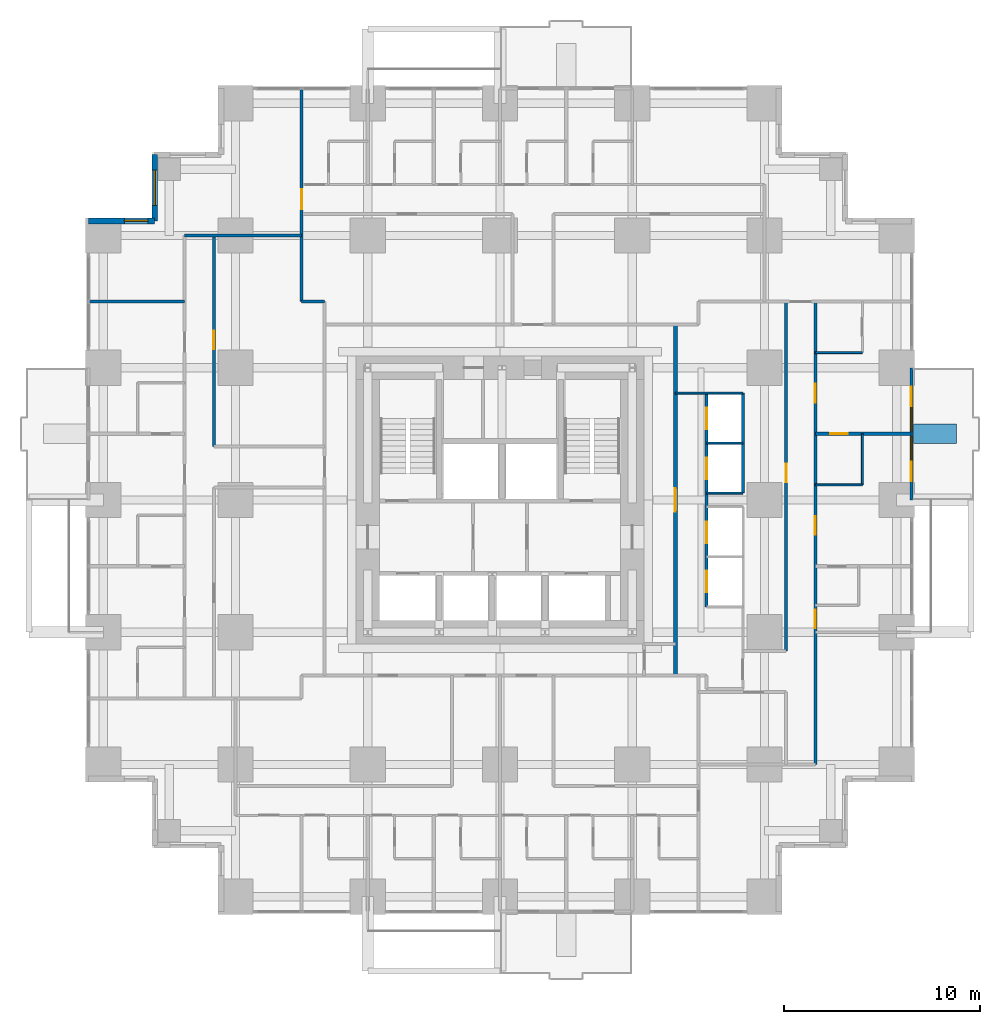
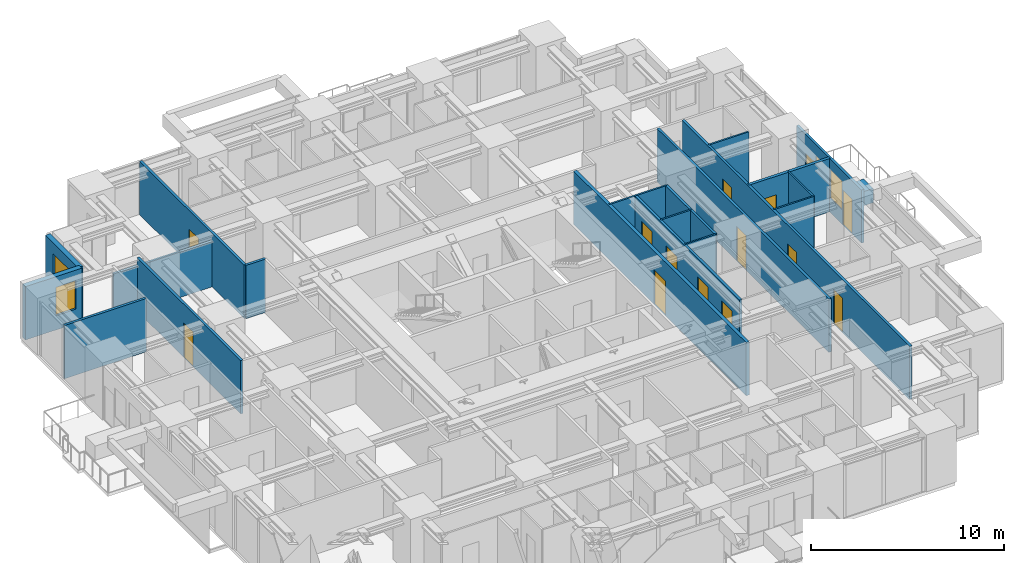
# One storey, part 11 of 14: 21 walls, 14 doors, 4 windows, 18 openings.
"""IFC4 building model written with IfcOpenShell, lengths in metres."""

from ifc_helpers import new_model, si_unit, direction, frame, frame_2d, origin, place, context, subcontext, project, spatial, rectangle, extrude, material, layer, layer_set, type_object, element, fill, save


model = new_model("IFC4")

# Units and contexts
model_context = context("Model", 3, precision=1e-05, world=origin(), true_north=direction((0.0, 1.0)))
body_context = subcontext(model_context, "Body", "Model", "MODEL_VIEW")
ifc_project = project(units=[si_unit("LENGTHUNIT", "METRE"), si_unit("AREAUNIT", "SQUARE_METRE"), si_unit("VOLUMEUNIT", "CUBIC_METRE"), si_unit("PLANEANGLEUNIT", "RADIAN"), si_unit("MASSUNIT", "GRAM", prefix="KILO")], contexts=[model_context])

# Site, building, storey
site_placement = place(None, origin())
site = spatial("IfcSite", under=ifc_project, at=site_placement, CompositionType="ELEMENT")
building_placement = place(site_placement, origin())
building = spatial("IfcBuilding", under=site, at=building_placement, Name="Nyansa Garden Tower", CompositionType="ELEMENT")
storey_placement = place(building_placement, frame((0.0, 0.0, 64.800048828125)))
storey = spatial("IfcBuildingStorey", under=building, at=storey_placement, Name="L17", CompositionType="ELEMENT", Elevation=64.800048828125)

# Wall, opening, door
ifc_material_1 = material(Name="Dense blockwork, plastered both sides, 55 dB", Category="masonry")
ifc_layer_1 = layer(ifc_material_1, 0.175048828125)
ifc_layer_set_1 = layer_set([ifc_layer_1], Name="Acoustic party wall PW175")
wall_type_1 = type_object("IfcWallType", Name="Acoustic party wall PW175", PredefinedType="PARTITIONING", material=ifc_layer_set_1)
wall_1_placement = place(storey_placement, frame((36.35009765625, 23.625, 0.0), z_axis=(0.0, 0.0, 1.0), x_axis=(1.0, 0.0, 0.0)))
wall_1 = element("IfcWall", 1, at=wall_1_placement, inside=storey, type_object=wall_type_1, Name="Party wall", PredefinedType="PARTITIONING", context=body_context, shape_type="SweptSolid", body=[
    extrude(rectangle(XDim=4.8837890625, YDim=0.175048828125, at=frame_2d((2.44189453125, 0.0))), origin(), (0.0, 0.0, 1.0), 3.375),
])
opening_1_placement = place(wall_1_placement, frame((0.75, 0.0, 0.0)))
opening_1 = element("IfcOpeningElement", 2, at=opening_1_placement, cuts=wall_1, Name="Opening D02", PredefinedType="OPENING", context=body_context, shape_type="SweptSolid", body=[
    extrude(rectangle(XDim=0.89990234375, YDim=2.199951171875, at=frame_2d((0.449951171875, 1.10009765625))), frame((0.0, 0.097412109375, 0.0), z_axis=(0.0, -1.0, 0.0), x_axis=(1.0, 0.0, 0.0)), (0.0, 0.0, 1.0), 0.195068359375),
])
ifc_material_2 = material(Name="Timber flush door", Category="wood")
door_type_1 = type_object("IfcDoorType", Name="En-suite door D02 900x2200", OperationType="SINGLE_SWING_RIGHT", PredefinedType="DOOR", material=ifc_material_2)
door_1_placement = place(opening_1_placement, origin())
door_1 = element("IfcDoor", 3, at=door_1_placement, inside=storey, type_object=door_type_1, Name="Door L17-038", OperationType="SINGLE_SWING_RIGHT", OverallHeight=2.199951171875, OverallWidth=0.89990234375, PredefinedType="DOOR", context=body_context, shape_type="SweptSolid", body=[
    extrude(rectangle(XDim=0.89990234375, YDim=2.199951171875, at=frame_2d((0.449951171875, 1.10009765625))), frame((0.0, 0.02490234375, 0.0), z_axis=(0.0, -1.0, 0.0), x_axis=(1.0, 0.0, 0.0)), (0.0, 0.0, 1.0), 0.050048828125),
])
fill(opening_1, door_1)

# Wall, openings, doors, windows
ifc_material_3 = material(Name="Black aluminium framed glazed screen", Category="aluminium")
ifc_layer_2 = layer(ifc_material_3, 0.14990234375)
ifc_layer_set_2 = layer_set([ifc_layer_2], Name="Balcony screen wall BW150")
wall_type_2 = type_object("IfcWallType", Name="Balcony screen wall BW150", PredefinedType="SOLIDWALL", material=ifc_layer_set_2)
wall_2_placement = place(storey_placement, frame((41.25, 27.0, 0.0), z_axis=(0.0, 0.0, 1.0), x_axis=(0.0, -1.0, 0.0)))
wall_2 = element("IfcWall", 4, at=wall_2_placement, inside=storey, type_object=wall_type_2, Name="Glazed screen wall L17 E", PredefinedType="SOLIDWALL", context=body_context, shape_type="SweptSolid", body=[
    extrude(rectangle(XDim=6.75, YDim=0.14990234375, at=frame_2d((3.375, 0.0))), origin(), (0.0, 0.0, 1.0), 3.375),
])
opening_2_placement = place(wall_2_placement, frame((0.96240234375, 0.0, 0.0)))
opening_2 = element("IfcOpeningElement", 5, at=opening_2_placement, cuts=wall_2, Name="Opening D20", PredefinedType="OPENING", context=body_context, shape_type="SweptSolid", body=[
    extrude(rectangle(XDim=1.0, YDim=2.199951171875, at=frame_2d((0.5, 1.10009765625))), frame((0.0, 0.0849609375, 0.0), z_axis=(0.0, -1.0, 0.0), x_axis=(1.0, 0.0, 0.0)), (0.0, 0.0, 1.0), 0.169921875),
])
opening_3_placement = place(wall_2_placement, frame((2.02490234375, 0.0, 0.89990234375)))
opening_3 = element("IfcOpeningElement", 6, at=opening_3_placement, cuts=wall_2, Name="Opening W6", PredefinedType="OPENING", context=body_context, shape_type="SweptSolid", body=[
    extrude(rectangle(XDim=1.199951171875, YDim=1.800048828125, at=frame_2d((0.60009765625, 0.89990234375))), frame((0.0, 0.0849609375, 0.0), z_axis=(0.0, -1.0, 0.0), x_axis=(1.0, 0.0, 0.0)), (0.0, 0.0, 1.0), 0.169921875),
])
opening_4_placement = place(wall_2_placement, frame((4.78759765625, 0.0, 0.0)))
opening_4 = element("IfcOpeningElement", 7, at=opening_4_placement, cuts=wall_2, Name="Opening D20", PredefinedType="OPENING", context=body_context, shape_type="SweptSolid", body=[
    extrude(rectangle(XDim=1.0, YDim=2.199951171875, at=frame_2d((0.5, 1.10009765625))), frame((0.0, 0.0849609375, 0.0), z_axis=(0.0, -1.0, 0.0), x_axis=(1.0, 0.0, 0.0)), (0.0, 0.0, 1.0), 0.169921875),
])
opening_5_placement = place(wall_2_placement, frame((3.52490234375, 0.0, 0.89990234375)))
opening_5 = element("IfcOpeningElement", 8, at=opening_5_placement, cuts=wall_2, Name="Opening W6", PredefinedType="OPENING", context=body_context, shape_type="SweptSolid", body=[
    extrude(rectangle(XDim=1.199951171875, YDim=1.800048828125, at=frame_2d((0.60009765625, 0.89990234375))), frame((0.0, 0.0849609375, 0.0), z_axis=(0.0, -1.0, 0.0), x_axis=(1.0, 0.0, 0.0)), (0.0, 0.0, 1.0), 0.169921875),
])
ifc_material_4 = material(Name="Black aluminium framed glazed door", Category="aluminium")
door_type_2 = type_object("IfcDoorType", Name="Balcony door D20 1000x2200", OperationType="NOTDEFINED", PredefinedType="DOOR", material=ifc_material_4)
door_2_placement = place(opening_2_placement, origin())
door_2 = element("IfcDoor", 9, at=door_2_placement, inside=storey, type_object=door_type_2, Name="Balcony door L17", OperationType="SINGLE_SWING_LEFT", OverallHeight=2.199951171875, OverallWidth=1.0, PredefinedType="DOOR", context=body_context, shape_type="SweptSolid", body=[
    extrude(rectangle(XDim=1.0, YDim=2.199951171875, at=frame_2d((0.5, 1.10009765625))), frame((0.0, 0.02490234375, 0.0), z_axis=(0.0, -1.0, 0.0), x_axis=(1.0, 0.0, 0.0)), (0.0, 0.0, 1.0), 0.050048828125),
])
fill(opening_2, door_2)
door_3_placement = place(opening_4_placement, origin())
door_3 = element("IfcDoor", 10, at=door_3_placement, inside=storey, type_object=door_type_2, Name="Balcony door L17", OperationType="SINGLE_SWING_RIGHT", OverallHeight=2.199951171875, OverallWidth=1.0, PredefinedType="DOOR", context=body_context, shape_type="SweptSolid", body=[
    extrude(rectangle(XDim=1.0, YDim=2.199951171875, at=frame_2d((0.5, 1.10009765625))), frame((0.0, 0.02490234375, 0.0), z_axis=(0.0, -1.0, 0.0), x_axis=(1.0, 0.0, 0.0)), (0.0, 0.0, 1.0), 0.050048828125),
])
fill(opening_4, door_3)
ifc_material_5 = material(Name="Black aluminium frame, dark tinted double glazing", Category="aluminium")
window_type_1 = type_object("IfcWindowType", Name="Balcony window W6 1200x1800", PartitioningType="SINGLE_PANEL", PredefinedType="WINDOW", material=ifc_material_5)
window_1_placement = place(opening_3_placement, origin())
window_1 = element("IfcWindow", 11, at=window_1_placement, inside=storey, type_object=window_type_1, Name="Window L17", OverallHeight=1.800048828125, OverallWidth=1.199951171875, PartitioningType="SINGLE_PANEL", PredefinedType="WINDOW", context=body_context, shape_type="SweptSolid", body=[
    extrude(rectangle(XDim=1.199951171875, YDim=1.800048828125, at=frame_2d((0.60009765625, 0.89990234375))), frame((0.0, 0.030029296875, 0.0), z_axis=(0.0, -1.0, 0.0), x_axis=(1.0, 0.0, 0.0)), (0.0, 0.0, 1.0), 0.06005859375),
])
fill(opening_3, window_1)
window_2_placement = place(opening_5_placement, origin())
window_2 = element("IfcWindow", 12, at=window_2_placement, inside=storey, type_object=window_type_1, Name="Window L17", OverallHeight=1.800048828125, OverallWidth=1.199951171875, PartitioningType="SINGLE_PANEL", PredefinedType="WINDOW", context=body_context, shape_type="SweptSolid", body=[
    extrude(rectangle(XDim=1.199951171875, YDim=1.800048828125, at=frame_2d((0.60009765625, 0.89990234375))), frame((0.0, 0.030029296875, 0.0), z_axis=(0.0, -1.0, 0.0), x_axis=(1.0, 0.0, 0.0)), (0.0, 0.0, 1.0), 0.06005859375),
])
fill(opening_5, window_2)

# Wall, opening, door
ifc_material_6 = material(Name="Concrete blockwork, plastered, 60 minute fire resisting", Category="masonry")
ifc_layer_3 = layer(ifc_material_6, 0.199951171875)
ifc_layer_set_3 = layer_set([ifc_layer_3], Name="Corridor wall FW200")
wall_type_3 = type_object("IfcWallType", Name="Corridor wall FW200", PredefinedType="PARTITIONING", material=ifc_layer_set_3)
wall_3_placement = place(storey_placement, frame((29.199951171875, 11.300048828125, 0.0), z_axis=(0.0, 0.0, 1.0), x_axis=(0.0, 1.0, 0.0)))
wall_3 = element("IfcWall", 13, at=wall_3_placement, inside=storey, type_object=wall_type_3, Name="Corridor wall", PredefinedType="PARTITIONING", context=body_context, shape_type="SweptSolid", body=[
    extrude(rectangle(XDim=17.89990234375, YDim=0.199951171875, at=frame_2d((8.949951171875, 0.0))), origin(), (0.0, 0.0, 1.0), 3.375),
])
opening_6_placement = place(wall_3_placement, frame((8.35009765625, 0.0, 0.0)))
opening_6 = element("IfcOpeningElement", 14, at=opening_6_placement, cuts=wall_3, Name="Opening D06", PredefinedType="OPENING", context=body_context, shape_type="SweptSolid", body=[
    extrude(rectangle(XDim=1.199951171875, YDim=2.199951171875, at=frame_2d((0.60009765625, 1.10009765625))), frame((0.0, 0.10986328125, 0.0), z_axis=(0.0, -1.0, 0.0), x_axis=(1.0, 0.0, 0.0)), (0.0, 0.0, 1.0), 0.219970703125),
])
ifc_material_7 = material(Name="Steel door, 120 minute fire resisting", Category="steel")
door_type_3 = type_object("IfcDoorType", Name="Lobby door D06 1200x2200", OperationType="DOUBLE_DOOR_SINGLE_SWING", PredefinedType="DOOR", material=ifc_material_7)
door_4_placement = place(opening_6_placement, origin())
door_4 = element("IfcDoor", 15, at=door_4_placement, inside=storey, type_object=door_type_3, Name="Low-rise lift lobby door", OperationType="DOUBLE_DOOR_SINGLE_SWING", OverallHeight=2.199951171875, OverallWidth=1.199951171875, PredefinedType="DOOR", context=body_context, shape_type="SweptSolid", body=[
    extrude(rectangle(XDim=1.199951171875, YDim=2.199951171875, at=frame_2d((0.60009765625, 1.10009765625))), frame((0.0, 0.02490234375, 0.0), z_axis=(0.0, -1.0, 0.0), x_axis=(1.0, 0.0, 0.0)), (0.0, 0.0, 1.0), 0.050048828125),
])
fill(opening_6, door_4)

# Walls
ifc_material_8 = material(Name="Steel-stud shaft wall, two layers fire-rated board, EI 120", Category="steel")
ifc_layer_4 = layer(ifc_material_8, 0.10009765625)
ifc_layer_set_4 = layer_set([ifc_layer_4], Name="Lift shaft wall SW100")
wall_type_4 = type_object("IfcWallType", Name="Lift shaft wall SW100", PredefinedType="SHEAR", material=ifc_layer_set_4)
wall_4_placement = place(storey_placement, frame((29.199951171875, 25.699951171875, 0.0), z_axis=(0.0, 0.0, 1.0), x_axis=(1.0, 0.0, 0.0)))
element("IfcWall", 16, at=wall_4_placement, inside=storey, type_object=wall_type_4, Name="Lift shaft wall", PredefinedType="SHEAR", context=body_context, shape_type="SweptSolid", body=[
    extrude(rectangle(XDim=3.449951171875, YDim=0.10009765625, at=frame_2d((1.72509765625, 0.0))), origin(), (0.0, 0.0, 1.0), 3.375),
])
for number, where, z_axis, x_axis, name in (
    (17, (30.800048828125, 20.60009765625, 0.0), (0.0, 0.0, 1.0), (1.0, 0.0, 0.0), "Lift shaft wall"),
    (18, (30.800048828125, 23.14990234375, 0.0), (0.0, 0.0, 1.0), (1.0, 0.0, 0.0), "Lift shaft wall"),
):
    element("IfcWall", number, at=place(storey_placement, frame(where, z_axis=z_axis, x_axis=x_axis)), inside=storey, type_object=wall_type_4, Name=name, PredefinedType="SHEAR", context=body_context, shape_type="SweptSolid", body=[
        extrude(rectangle(XDim=1.849853515625, YDim=0.10009765625, at=frame_2d((0.9248046875, 0.0))), origin(), (0.0, 0.0, 1.0), 3.375),
    ])
ifc_material_9 = material(Name="Blockwork, plastered both sides", Category="masonry")
ifc_layer_5 = layer(ifc_material_9, 0.14990234375)
ifc_layer_set_5 = layer_set([ifc_layer_5], Name="Partition PW150")
wall_type_5 = type_object("IfcWallType", Name="Partition PW150", PredefinedType="PARTITIONING", material=ifc_layer_set_5)
wall_5_placement = place(storey_placement, frame((-0.73388671875, 30.375, 0.0), z_axis=(0.0, 0.0, 1.0), x_axis=(1.0, 0.0, 0.0)))
element("IfcWall", 19, at=wall_5_placement, inside=storey, type_object=wall_type_5, Name="Partition", PredefinedType="PARTITIONING", context=body_context, shape_type="SweptSolid", body=[
    extrude(rectangle(XDim=4.8837890625, YDim=0.14990234375, at=frame_2d((2.44189453125, 0.0))), origin(), (0.0, 0.0, 1.0), 3.375),
])
wall_6_placement = place(storey_placement, frame((4.14990234375, 33.75, 0.0), z_axis=(0.0, 0.0, 1.0), x_axis=(1.0, 0.0, 0.0)))
element("IfcWall", 20, at=wall_6_placement, inside=storey, type_object=wall_type_5, Name="Partition", PredefinedType="PARTITIONING", context=body_context, shape_type="SweptSolid", body=[
    extrude(rectangle(XDim=5.97509765625, YDim=0.14990234375, at=frame_2d((2.987548828125, 0.0))), origin(), (0.0, 0.0, 1.0), 2.876953125),
])

# Wall, opening, door
wall_7_placement = place(storey_placement, frame((5.64990234375, 22.987548828125, 0.0), z_axis=(0.0, 0.0, 1.0), x_axis=(0.0, 1.0, 0.0)))
wall_7 = element("IfcWall", 21, at=wall_7_placement, inside=storey, type_object=wall_type_5, Name="Partition", PredefinedType="PARTITIONING", context=body_context, shape_type="SweptSolid", body=[
    extrude(rectangle(XDim=10.762451171875, YDim=0.14990234375, at=frame_2d((5.38134765625, 0.0))), origin(), (0.0, 0.0, 1.0), 3.375),
])
opening_7_placement = place(wall_7_placement, frame((4.949951171875, 0.0, 0.0)))
opening_7 = element("IfcOpeningElement", 22, at=opening_7_placement, cuts=wall_7, Name="Opening D01", PredefinedType="OPENING", context=body_context, shape_type="SweptSolid", body=[
    extrude(rectangle(XDim=0.949951171875, YDim=2.199951171875, at=frame_2d((0.47509765625, 1.10009765625))), frame((0.0, 0.0849609375, 0.0), z_axis=(0.0, -1.0, 0.0), x_axis=(1.0, 0.0, 0.0)), (0.0, 0.0, 1.0), 0.169921875),
])
ifc_material_10 = material(Name="Timber flush door, 30 minute fire resisting", Category="wood")
door_type_4 = type_object("IfcDoorType", Name="Bedroom door D01 950x2200", OperationType="SINGLE_SWING_LEFT", PredefinedType="DOOR", material=ifc_material_10)
door_5_placement = place(opening_7_placement, origin())
door_5 = element("IfcDoor", 23, at=door_5_placement, inside=storey, type_object=door_type_4, Name="Door L17-067", OperationType="SINGLE_SWING_LEFT", OverallHeight=2.199951171875, OverallWidth=0.949951171875, PredefinedType="DOOR", context=body_context, shape_type="SweptSolid", body=[
    extrude(rectangle(XDim=0.949951171875, YDim=2.199951171875, at=frame_2d((0.47509765625, 1.10009765625))), frame((0.0, 0.02490234375, 0.0), z_axis=(0.0, -1.0, 0.0), x_axis=(1.0, 0.0, 0.0)), (0.0, 0.0, 1.0), 0.050048828125),
])
fill(opening_7, door_5)

wall_8_placement = place(storey_placement, frame((10.125, 30.375, 0.0), z_axis=(0.0, 0.0, 1.0), x_axis=(0.0, 1.0, 0.0)))
wall_8 = element("IfcWall", 24, at=wall_8_placement, inside=storey, type_object=wall_type_5, Name="Partition", PredefinedType="PARTITIONING", context=body_context, shape_type="SweptSolid", body=[
    extrude(rectangle(XDim=10.85888671875, YDim=0.14990234375, at=frame_2d((5.429443359375, 0.0))), origin(), (0.0, 0.0, 1.0), 3.375),
])
opening_8_placement = place(wall_8_placement, frame((4.72509765625, 0.0, 0.0)))
opening_8 = element("IfcOpeningElement", 25, at=opening_8_placement, cuts=wall_8, Name="Opening D03", PredefinedType="OPENING", context=body_context, shape_type="SweptSolid", body=[
    extrude(rectangle(XDim=1.0, YDim=2.199951171875, at=frame_2d((0.5, 1.10009765625))), frame((0.0, 0.0849609375, 0.0), z_axis=(0.0, -1.0, 0.0), x_axis=(1.0, 0.0, 0.0)), (0.0, 0.0, 1.0), 0.169921875),
])
ifc_material_11 = material(Name="Timber flush door, 60 minute fire resisting", Category="wood")
door_type_5 = type_object("IfcDoorType", Name="Cluster entrance door D03 1000x2200", OperationType="SINGLE_SWING_LEFT", PredefinedType="DOOR", material=ifc_material_11)
door_6_placement = place(opening_8_placement, origin())
door_6 = element("IfcDoor", 26, at=door_6_placement, inside=storey, type_object=door_type_5, Name="Door L17-058", OperationType="SINGLE_SWING_LEFT", OverallHeight=2.199951171875, OverallWidth=1.0, PredefinedType="DOOR", context=body_context, shape_type="SweptSolid", body=[
    extrude(rectangle(XDim=1.0, YDim=2.199951171875, at=frame_2d((0.5, 1.10009765625))), frame((0.0, 0.02490234375, 0.0), z_axis=(0.0, -1.0, 0.0), x_axis=(1.0, 0.0, 0.0)), (0.0, 0.0, 1.0), 0.050048828125),
])
fill(opening_8, door_6)

# Wall
wall_9_placement = place(storey_placement, frame((10.125, 30.375, 0.0), z_axis=(0.0, 0.0, 1.0), x_axis=(1.0, 0.0, 0.0)))
element("IfcWall", 27, at=wall_9_placement, inside=storey, type_object=wall_type_5, Name="Partition", PredefinedType="PARTITIONING", context=body_context, shape_type="SweptSolid", body=[
    extrude(rectangle(XDim=1.175048828125, YDim=0.14990234375, at=frame_2d((0.58740234375, 0.0))), origin(), (0.0, 0.0, 1.0), 3.375),
])

# Wall, openings, doors
wall_10_placement = place(storey_placement, frame((30.800048828125, 14.800048828125, 0.0), z_axis=(0.0, 0.0, 1.0), x_axis=(0.0, 1.0, 0.0)))
wall_10 = element("IfcWall", 28, at=wall_10_placement, inside=storey, type_object=wall_type_5, Name="Partition", PredefinedType="PARTITIONING", context=body_context, shape_type="SweptSolid", body=[
    extrude(rectangle(XDim=10.89990234375, YDim=0.14990234375, at=frame_2d((5.449951171875, 0.0))), origin(), (0.0, 0.0, 1.0), 3.375),
])
opening_9_placement = place(wall_10_placement, frame((0.75, 0.0, 0.0)))
opening_9 = element("IfcOpeningElement", 29, at=opening_9_placement, cuts=wall_10, Name="Opening LD-A", PredefinedType="OPENING", context=body_context, shape_type="SweptSolid", body=[
    extrude(rectangle(XDim=1.10009765625, YDim=2.199951171875, at=frame_2d((0.550048828125, 1.10009765625))), frame((0.0, 0.0849609375, 0.0), z_axis=(0.0, -1.0, 0.0), x_axis=(1.0, 0.0, 0.0)), (0.0, 0.0, 1.0), 0.169921875),
])
opening_10_placement = place(wall_10_placement, frame((3.25, 0.0, 0.0)))
opening_10 = element("IfcOpeningElement", 30, at=opening_10_placement, cuts=wall_10, Name="Opening LD-A", PredefinedType="OPENING", context=body_context, shape_type="SweptSolid", body=[
    extrude(rectangle(XDim=1.10009765625, YDim=2.199951171875, at=frame_2d((0.550048828125, 1.10009765625))), frame((0.0, 0.0849609375, 0.0), z_axis=(0.0, -1.0, 0.0), x_axis=(1.0, 0.0, 0.0)), (0.0, 0.0, 1.0), 0.169921875),
])
opening_11_placement = place(wall_10_placement, frame((6.5, 0.0, 0.0)))
opening_11 = element("IfcOpeningElement", 31, at=opening_11_placement, cuts=wall_10, Name="Opening LD-A", PredefinedType="OPENING", context=body_context, shape_type="SweptSolid", body=[
    extrude(rectangle(XDim=1.10009765625, YDim=2.199951171875, at=frame_2d((0.550048828125, 1.10009765625))), frame((0.0, 0.0849609375, 0.0), z_axis=(0.0, -1.0, 0.0), x_axis=(1.0, 0.0, 0.0)), (0.0, 0.0, 1.0), 0.169921875),
])
opening_12_placement = place(wall_10_placement, frame((9.050048828125, 0.0, 0.0)))
opening_12 = element("IfcOpeningElement", 32, at=opening_12_placement, cuts=wall_10, Name="Opening LD-A", PredefinedType="OPENING", context=body_context, shape_type="SweptSolid", body=[
    extrude(rectangle(XDim=1.10009765625, YDim=2.199951171875, at=frame_2d((0.550048828125, 1.10009765625))), frame((0.0, 0.0849609375, 0.0), z_axis=(0.0, -1.0, 0.0), x_axis=(1.0, 0.0, 0.0)), (0.0, 0.0, 1.0), 0.169921875),
])
ifc_material_12 = material(Name="Stainless steel centre-opening landing door of the low-rise lift, E 120", Category="steel")
door_type_6 = type_object("IfcDoorType", Name="Lift landing door LD-A 1100x2200", OperationType="DOUBLE_DOOR_SLIDING", PredefinedType="DOOR", material=ifc_material_12)
door_7_placement = place(opening_9_placement, origin())
door_7 = element("IfcDoor", 33, at=door_7_placement, inside=storey, type_object=door_type_6, Name="Landing door A1", OperationType="DOUBLE_DOOR_SLIDING", OverallHeight=2.199951171875, OverallWidth=1.10009765625, PredefinedType="DOOR", context=body_context, shape_type="SweptSolid", body=[
    extrude(rectangle(XDim=1.10009765625, YDim=2.199951171875, at=frame_2d((0.550048828125, 1.10009765625))), frame((0.0, 0.02490234375, 0.0), z_axis=(0.0, -1.0, 0.0), x_axis=(1.0, 0.0, 0.0)), (0.0, 0.0, 1.0), 0.050048828125),
])
fill(opening_9, door_7)
door_8_placement = place(opening_10_placement, origin())
door_8 = element("IfcDoor", 34, at=door_8_placement, inside=storey, type_object=door_type_6, Name="Landing door A2", OperationType="DOUBLE_DOOR_SLIDING", OverallHeight=2.199951171875, OverallWidth=1.10009765625, PredefinedType="DOOR", context=body_context, shape_type="SweptSolid", body=[
    extrude(rectangle(XDim=1.10009765625, YDim=2.199951171875, at=frame_2d((0.550048828125, 1.10009765625))), frame((0.0, 0.02490234375, 0.0), z_axis=(0.0, -1.0, 0.0), x_axis=(1.0, 0.0, 0.0)), (0.0, 0.0, 1.0), 0.050048828125),
])
fill(opening_10, door_8)
door_9_placement = place(opening_11_placement, origin())
door_9 = element("IfcDoor", 35, at=door_9_placement, inside=storey, type_object=door_type_6, Name="Landing door A3", OperationType="DOUBLE_DOOR_SLIDING", OverallHeight=2.199951171875, OverallWidth=1.10009765625, PredefinedType="DOOR", context=body_context, shape_type="SweptSolid", body=[
    extrude(rectangle(XDim=1.10009765625, YDim=2.199951171875, at=frame_2d((0.550048828125, 1.10009765625))), frame((0.0, 0.02490234375, 0.0), z_axis=(0.0, -1.0, 0.0), x_axis=(1.0, 0.0, 0.0)), (0.0, 0.0, 1.0), 0.050048828125),
])
fill(opening_11, door_9)
door_10_placement = place(opening_12_placement, origin())
door_10 = element("IfcDoor", 36, at=door_10_placement, inside=storey, type_object=door_type_6, Name="Landing door A4", OperationType="DOUBLE_DOOR_SLIDING", OverallHeight=2.199951171875, OverallWidth=1.10009765625, PredefinedType="DOOR", context=body_context, shape_type="SweptSolid", body=[
    extrude(rectangle(XDim=1.10009765625, YDim=2.199951171875, at=frame_2d((0.550048828125, 1.10009765625))), frame((0.0, 0.02490234375, 0.0), z_axis=(0.0, -1.0, 0.0), x_axis=(1.0, 0.0, 0.0)), (0.0, 0.0, 1.0), 0.050048828125),
])
fill(opening_12, door_10)

# Wall
wall_11_placement = place(storey_placement, frame((32.64990234375, 20.60009765625, 0.0), z_axis=(0.0, 0.0, 1.0), x_axis=(0.0, 1.0, 0.0)))
element("IfcWall", 37, at=wall_11_placement, inside=storey, type_object=wall_type_5, Name="Partition", PredefinedType="PARTITIONING", context=body_context, shape_type="SweptSolid", body=[
    extrude(rectangle(XDim=5.099853515625, YDim=0.14990234375, at=frame_2d((2.5498046875, 0.0))), origin(), (0.0, 0.0, 1.0), 3.375),
])

# Wall, opening, door
wall_12_placement = place(storey_placement, frame((34.85009765625, 12.550048828125, 0.0), z_axis=(0.0, 0.0, 1.0), x_axis=(0.0, 1.0, 0.0)))
wall_12 = element("IfcWall", 38, at=wall_12_placement, inside=storey, type_object=wall_type_5, Name="Partition", PredefinedType="PARTITIONING", context=body_context, shape_type="SweptSolid", body=[
    extrude(rectangle(XDim=17.824951171875, YDim=0.14990234375, at=frame_2d((8.91259765625, 0.0))), origin(), (0.0, 0.0, 1.0), 3.375),
])
opening_13_placement = place(wall_12_placement, frame((8.60009765625, 0.0, 0.0)))
opening_13 = element("IfcOpeningElement", 39, at=opening_13_placement, cuts=wall_12, Name="Opening D01", PredefinedType="OPENING", context=body_context, shape_type="SweptSolid", body=[
    extrude(rectangle(XDim=0.949951171875, YDim=2.199951171875, at=frame_2d((0.47509765625, 1.10009765625))), frame((0.0, 0.0849609375, 0.0), z_axis=(0.0, -1.0, 0.0), x_axis=(1.0, 0.0, 0.0)), (0.0, 0.0, 1.0), 0.169921875),
])
door_11_placement = place(opening_13_placement, origin())
door_11 = element("IfcDoor", 40, at=door_11_placement, inside=storey, type_object=door_type_4, Name="Door L17-042", OperationType="SINGLE_SWING_LEFT", OverallHeight=2.199951171875, OverallWidth=0.949951171875, PredefinedType="DOOR", context=body_context, shape_type="SweptSolid", body=[
    extrude(rectangle(XDim=0.949951171875, YDim=2.199951171875, at=frame_2d((0.47509765625, 1.10009765625))), frame((0.0, 0.02490234375, 0.0), z_axis=(0.0, -1.0, 0.0), x_axis=(1.0, 0.0, 0.0)), (0.0, 0.0, 1.0), 0.050048828125),
])
fill(opening_13, door_11)

# Wall, openings, doors
wall_13_placement = place(storey_placement, frame((36.35009765625, 6.75, 0.0), z_axis=(0.0, 0.0, 1.0), x_axis=(0.0, 1.0, 0.0)))
wall_13 = element("IfcWall", 41, at=wall_13_placement, inside=storey, type_object=wall_type_5, Name="Partition", PredefinedType="PARTITIONING", context=body_context, shape_type="SweptSolid", body=[
    extrude(rectangle(XDim=23.625, YDim=0.14990234375, at=frame_2d((11.8125, 0.0))), origin(), (0.0, 0.0, 1.0), 3.375),
])
opening_14_placement = place(wall_13_placement, frame((18.47509765625, 0.0, 0.0)))
opening_14 = element("IfcOpeningElement", 42, at=opening_14_placement, cuts=wall_13, Name="Opening D14", PredefinedType="OPENING", context=body_context, shape_type="SweptSolid", body=[
    extrude(rectangle(XDim=0.949951171875, YDim=2.199951171875, at=frame_2d((0.47509765625, 1.10009765625))), frame((0.0, 0.0849609375, 0.0), z_axis=(0.0, -1.0, 0.0), x_axis=(1.0, 0.0, 0.0)), (0.0, 0.0, 1.0), 0.169921875),
])
opening_15_placement = place(wall_13_placement, frame((11.72509765625, 0.0, 0.0)))
opening_15 = element("IfcOpeningElement", 43, at=opening_15_placement, cuts=wall_13, Name="Opening D14", PredefinedType="OPENING", context=body_context, shape_type="SweptSolid", body=[
    extrude(rectangle(XDim=0.949951171875, YDim=2.199951171875, at=frame_2d((0.47509765625, 1.10009765625))), frame((0.0, 0.0849609375, 0.0), z_axis=(0.0, -1.0, 0.0), x_axis=(1.0, 0.0, 0.0)), (0.0, 0.0, 1.0), 0.169921875),
])
opening_16_placement = place(wall_13_placement, frame((6.949951171875, 0.0, 0.0)))
opening_16 = element("IfcOpeningElement", 44, at=opening_16_placement, cuts=wall_13, Name="Opening D14", PredefinedType="OPENING", context=body_context, shape_type="SweptSolid", body=[
    extrude(rectangle(XDim=0.949951171875, YDim=2.199951171875, at=frame_2d((0.47509765625, 1.10009765625))), frame((0.0, 0.0849609375, 0.0), z_axis=(0.0, -1.0, 0.0), x_axis=(1.0, 0.0, 0.0)), (0.0, 0.0, 1.0), 0.169921875),
])
ifc_material_13 = material(Name="Timber flush door, 60 minute fire resisting, self-closing", Category="wood")
door_type_7 = type_object("IfcDoorType", Name="Studio entrance door D14 950x2200", OperationType="SINGLE_SWING_LEFT", PredefinedType="DOOR", material=ifc_material_13)
door_12_placement = place(opening_14_placement, origin())
door_12 = element("IfcDoor", 45, at=door_12_placement, inside=storey, type_object=door_type_7, Name="Door L17-035", OperationType="SINGLE_SWING_LEFT", OverallHeight=2.199951171875, OverallWidth=0.949951171875, PredefinedType="DOOR", context=body_context, shape_type="SweptSolid", body=[
    extrude(rectangle(XDim=0.949951171875, YDim=2.199951171875, at=frame_2d((0.47509765625, 1.10009765625))), frame((0.0, 0.02490234375, 0.0), z_axis=(0.0, -1.0, 0.0), x_axis=(1.0, 0.0, 0.0)), (0.0, 0.0, 1.0), 0.050048828125),
])
fill(opening_14, door_12)
door_13_placement = place(opening_15_placement, origin())
door_13 = element("IfcDoor", 46, at=door_13_placement, inside=storey, type_object=door_type_7, Name="Door L17-037", OperationType="SINGLE_SWING_LEFT", OverallHeight=2.199951171875, OverallWidth=0.949951171875, PredefinedType="DOOR", context=body_context, shape_type="SweptSolid", body=[
    extrude(rectangle(XDim=0.949951171875, YDim=2.199951171875, at=frame_2d((0.47509765625, 1.10009765625))), frame((0.0, 0.02490234375, 0.0), z_axis=(0.0, -1.0, 0.0), x_axis=(1.0, 0.0, 0.0)), (0.0, 0.0, 1.0), 0.050048828125),
])
fill(opening_15, door_13)
door_14_placement = place(opening_16_placement, origin())
door_14 = element("IfcDoor", 47, at=door_14_placement, inside=storey, type_object=door_type_7, Name="Door L17-039", OperationType="SINGLE_SWING_LEFT", OverallHeight=2.199951171875, OverallWidth=0.949951171875, PredefinedType="DOOR", context=body_context, shape_type="SweptSolid", body=[
    extrude(rectangle(XDim=0.949951171875, YDim=2.199951171875, at=frame_2d((0.47509765625, 1.10009765625))), frame((0.0, 0.02490234375, 0.0), z_axis=(0.0, -1.0, 0.0), x_axis=(1.0, 0.0, 0.0)), (0.0, 0.0, 1.0), 0.050048828125),
])
fill(opening_16, door_14)

# Wall, opening, window
ifc_material_14 = material(Name="Turquoise glazed tile on concrete blockwork", Category="masonry")
ifc_layer_6 = layer(ifc_material_14, 0.300048828125)
ifc_layer_set_6 = layer_set([ifc_layer_6], Name="Tiled corner wall TW300")
wall_type_6 = type_object("IfcWallType", Name="Tiled corner wall TW300", PredefinedType="SOLIDWALL", material=ifc_layer_set_6)
wall_14_placement = place(storey_placement, frame((2.625, 37.875, 0.0), z_axis=(0.0, 0.0, 1.0), x_axis=(0.0, -1.0, 0.0)))
wall_14 = element("IfcWall", 48, at=wall_14_placement, inside=storey, type_object=wall_type_6, Name="Tiled corner wall L17", PredefinedType="SOLIDWALL", context=body_context, shape_type="SweptSolid", body=[
    extrude(rectangle(XDim=3.375, YDim=0.300048828125, at=frame_2d((1.6875, 0.0))), origin(), (0.0, 0.0, 1.0), 3.375),
])
opening_17_placement = place(wall_14_placement, frame((0.78759765625, 0.0, 0.60009765625)))
opening_17 = element("IfcOpeningElement", 49, at=opening_17_placement, cuts=wall_14, Name="Opening W2", PredefinedType="OPENING", context=body_context, shape_type="SweptSolid", body=[
    extrude(rectangle(XDim=1.800048828125, YDim=2.10009765625, at=frame_2d((0.89990234375, 1.050048828125))), frame((0.0, 0.159912109375, 0.0), z_axis=(0.0, -1.0, 0.0), x_axis=(1.0, 0.0, 0.0)), (0.0, 0.0, 1.0), 0.320068359375),
])
ifc_material_15 = material(Name="Black aluminium frame, dark tinted double glazing", Category="aluminium")
window_type_2 = type_object("IfcWindowType", Name="Window W2 1800x2100", PartitioningType="SINGLE_PANEL", PredefinedType="WINDOW", material=ifc_material_15)
window_3_placement = place(opening_17_placement, origin())
window_3 = element("IfcWindow", 50, at=window_3_placement, inside=storey, type_object=window_type_2, Name="Corner window L17", OverallHeight=2.10009765625, OverallWidth=1.800048828125, PartitioningType="SINGLE_PANEL", PredefinedType="WINDOW", context=body_context, shape_type="SweptSolid", body=[
    extrude(rectangle(XDim=1.800048828125, YDim=2.10009765625, at=frame_2d((0.89990234375, 1.050048828125))), frame((0.0, 0.030029296875, 0.0), z_axis=(0.0, -1.0, 0.0), x_axis=(1.0, 0.0, 0.0)), (0.0, 0.0, 1.0), 0.06005859375),
])
fill(opening_17, window_3)

wall_15_placement = place(storey_placement, frame((2.625, 34.5, 0.0), z_axis=(0.0, 0.0, 1.0), x_axis=(-1.0, 0.0, 0.0)))
wall_15 = element("IfcWall", 51, at=wall_15_placement, inside=storey, type_object=wall_type_6, Name="Tiled corner wall L17", PredefinedType="SOLIDWALL", context=body_context, shape_type="SweptSolid", body=[
    extrude(rectangle(XDim=3.375, YDim=0.300048828125, at=frame_2d((1.6875, 0.0))), origin(), (0.0, 0.0, 1.0), 3.375),
])
opening_18_placement = place(wall_15_placement, frame((0.342529296875, 0.0, 0.89990234375)))
opening_18 = element("IfcOpeningElement", 52, at=opening_18_placement, cuts=wall_15, Name="Opening W4", PredefinedType="OPENING", context=body_context, shape_type="SweptSolid", body=[
    extrude(rectangle(XDim=1.199951171875, YDim=1.800048828125, at=frame_2d((0.60009765625, 0.89990234375))), frame((0.0, 0.159912109375, 0.0), z_axis=(0.0, -1.0, 0.0), x_axis=(1.0, 0.0, 0.0)), (0.0, 0.0, 1.0), 0.320068359375),
])
ifc_material_16 = material(Name="Black aluminium frame, dark tinted double glazing", Category="aluminium")
window_type_3 = type_object("IfcWindowType", Name="Window W4 1200x1800", PartitioningType="SINGLE_PANEL", PredefinedType="WINDOW", material=ifc_material_16)
window_4_placement = place(opening_18_placement, origin())
window_4 = element("IfcWindow", 53, at=window_4_placement, inside=storey, type_object=window_type_3, Name="Corner window L17", OverallHeight=1.800048828125, OverallWidth=1.199951171875, PartitioningType="SINGLE_PANEL", PredefinedType="WINDOW", context=body_context, shape_type="SweptSolid", body=[
    extrude(rectangle(XDim=1.199951171875, YDim=1.800048828125, at=frame_2d((0.60009765625, 0.89990234375))), frame((0.0, 0.030029296875, 0.0), z_axis=(0.0, -1.0, 0.0), x_axis=(1.0, 0.0, 0.0)), (0.0, 0.0, 1.0), 0.06005859375),
])
fill(opening_18, window_4)

# Walls
ifc_material_17 = material(Name="Concrete C40/50 planter, waterproofed", Category="concrete")
ifc_layer_7 = layer(ifc_material_17, 1.0)
ifc_layer_set_7 = layer_set([ifc_layer_7], Name="Tree planter TP1")
wall_type_7 = type_object("IfcWallType", Name="Tree planter TP1", PredefinedType="USERDEFINED", material=ifc_layer_set_7)
wall_16_placement = place(storey_placement, frame((41.35009765625, 23.625, 0.0), z_axis=(0.0, 0.0, 1.0), x_axis=(1.0, 0.0, 0.0)))
element("IfcWall", 54, at=wall_16_placement, inside=storey, type_object=wall_type_7, Name="Tree planter L17", ObjectType="TREE PLANTER", PredefinedType="USERDEFINED", context=body_context, shape_type="SweptSolid", body=[
    extrude(rectangle(XDim=2.199951171875, YDim=1.0, at=frame_2d((1.10009765625, 0.0))), origin(), (0.0, 0.0, 1.0), 0.89990234375),
])
ifc_material_18 = material(Name="Moisture resistant board on steel studs, tiled", Category="steel")
ifc_layer_8 = layer(ifc_material_18, 0.10009765625)
ifc_layer_set_8 = layer_set([ifc_layer_8], Name="Wet wall PW100")
wall_type_8 = type_object("IfcWallType", Name="Wet wall PW100", PredefinedType="PARTITIONING", material=ifc_layer_set_8)
for number, where, z_axis, x_axis, name in (
    (55, (36.35009765625, 21.02490234375, 0.0), (0.0, 0.0, 1.0), (1.0, 0.0, 0.0), "Wet wall"),
    (56, (36.35009765625, 27.77490234375, 0.0), (0.0, 0.0, 1.0), (1.0, 0.0, 0.0), "Wet wall"),
):
    element("IfcWall", number, at=place(storey_placement, frame(where, z_axis=z_axis, x_axis=x_axis)), inside=storey, type_object=wall_type_8, Name=name, PredefinedType="PARTITIONING", context=body_context, shape_type="SweptSolid", body=[
        extrude(rectangle(XDim=2.39990234375, YDim=0.10009765625, at=frame_2d((1.199951171875, 0.0))), origin(), (0.0, 0.0, 1.0), 3.375),
    ])
wall_17_placement = place(storey_placement, frame((38.75, 21.02490234375, 0.0), z_axis=(0.0, 0.0, 1.0), x_axis=(0.0, 1.0, 0.0)))
element("IfcWall", 57, at=wall_17_placement, inside=storey, type_object=wall_type_8, Name="Wet wall", PredefinedType="PARTITIONING", context=body_context, shape_type="SweptSolid", body=[
    extrude(rectangle(XDim=2.60009765625, YDim=0.10009765625, at=frame_2d((1.300048828125, 0.0))), origin(), (0.0, 0.0, 1.0), 3.375),
])

save(model, "model.ifc")
